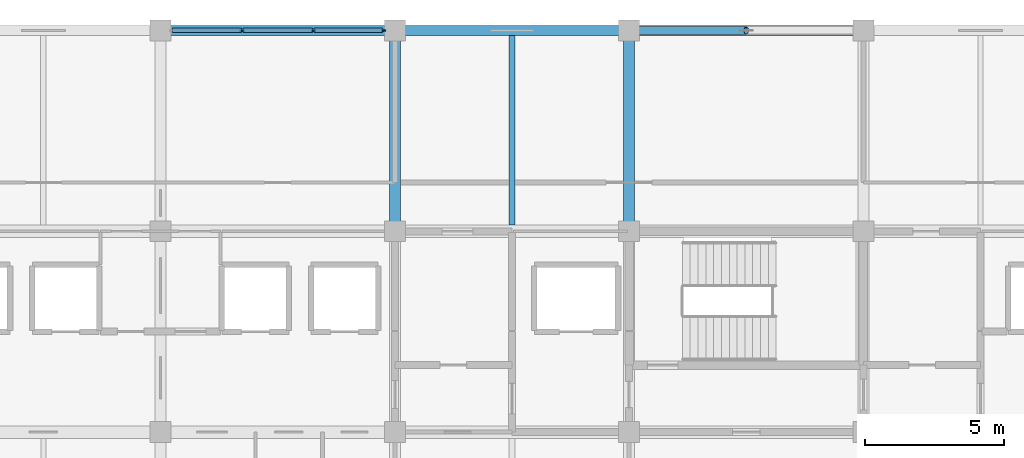
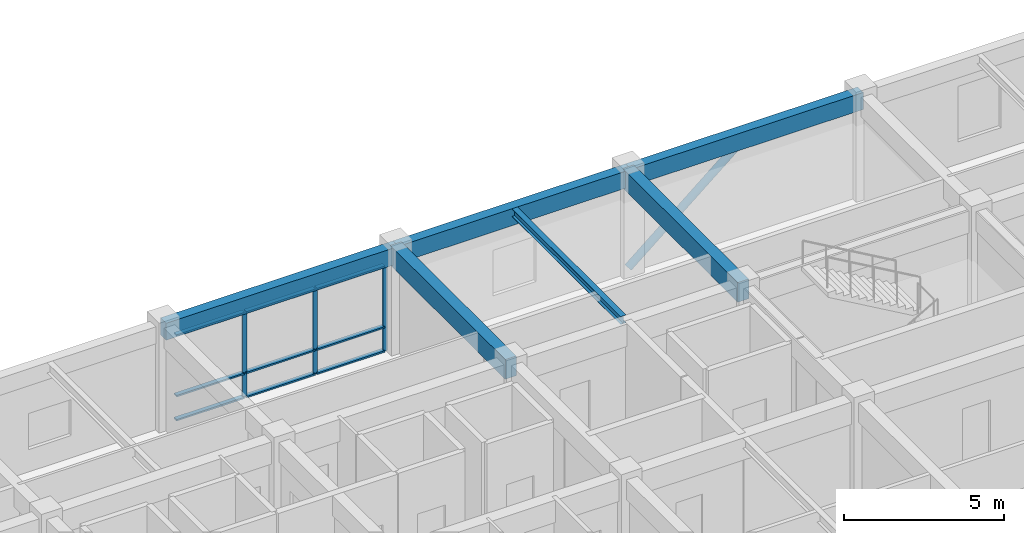
# One storey, part 8 of 27: 13 members, 6 beams, 1 element without a shape of its own.
"""IFC4 building model written with IfcOpenShell, lengths in metres."""

from ifc_helpers import new_model, si_unit, direction, frame, origin, origin_2d, place, context, subcontext, project, spatial, rectangle, hollow_circle, i_section, extrude, material, layer, layer_set, material_profile, profile_set, type_object, element, aggregate, save


model = new_model("IFC4")

# Units and contexts
model_context = context("Model", 3, precision=1e-05, world=origin(), true_north=direction((0.0, 1.0)))
body_context = subcontext(model_context, "Body", "Model", "MODEL_VIEW")
ifc_project = project(units=[si_unit("LENGTHUNIT", "METRE"), si_unit("AREAUNIT", "SQUARE_METRE"), si_unit("VOLUMEUNIT", "CUBIC_METRE"), si_unit("PLANEANGLEUNIT", "RADIAN"), si_unit("MASSUNIT", "GRAM", prefix="KILO")], contexts=[model_context])

# Site, building, storey
site_placement = place(None, origin())
site = spatial("IfcSite", under=ifc_project, at=site_placement, CompositionType="ELEMENT")
building_placement = place(site_placement, origin())
building = spatial("IfcBuilding", under=site, at=building_placement, Name="Chengyuan Square Courthouse", CompositionType="ELEMENT")
storey_placement = place(building_placement, frame((0.0, 0.0, 39.300048828125)))
storey = spatial("IfcBuildingStorey", under=building, at=storey_placement, Name="L09", CompositionType="ELEMENT", Elevation=39.300048828125)

# Beams
ifc_material_1 = material(Name="Concrete C40", Category="concrete")
ifc_material_profile_1 = material_profile(ifc_material_1, rectangle(XDim=0.39990234375, YDim=0.75, at=origin_2d()), Name="RC-BM-400x750")
ifc_profile_set_1 = profile_set([ifc_material_profile_1], Name="Concrete C40")
beam_type_1 = type_object("IfcBeamType", Name="BM-02", PredefinedType="USERDEFINED", material=ifc_profile_set_1)
for number, where, z_axis, x_axis, name in (
    (1, (92.39990234375, 108.0, 3.574951171875), (0.0, 1.0, 0.0), (-1.0, 0.0, 0.0), "Girder BM-L09-3988"),
    (2, (100.800048828125, 108.0, 3.574951171875), (0.0, 1.0, 0.0), (-1.0, 0.0, 0.0), "Girder BM-L09-3993"),
):
    element("IfcBeam", number, at=place(storey_placement, frame(where, z_axis=z_axis, x_axis=x_axis)), inside=storey, type_object=beam_type_1, Name=name, ObjectType="GIRDER", PredefinedType="USERDEFINED", context=body_context, shape_type="SweptSolid", body=[
        extrude(rectangle(XDim=0.39990234375, YDim=0.75, at=origin_2d()), origin(), (0.0, 0.0, 1.0), 7.199951171875),
    ])
ifc_material_profile_2 = material_profile(ifc_material_1, rectangle(XDim=0.35009765625, YDim=0.64990234375, at=origin_2d()), Name="RC-BM-350x650")
ifc_profile_set_2 = profile_set([ifc_material_profile_2], Name="Concrete C40")
beam_type_2 = type_object("IfcBeamType", Name="BM-03", PredefinedType="SPANDREL", material=ifc_profile_set_2)
beam_1_placement = place(storey_placement, frame((84.0, 115.199951171875, 3.625), z_axis=(1.0, 0.0, 0.0), x_axis=(0.0, 1.0, 0.0)))
element("IfcBeam", 3, at=beam_1_placement, inside=storey, type_object=beam_type_2, Name="Girder BM-L09-3951", PredefinedType="SPANDREL", context=body_context, shape_type="SweptSolid", body=[
    extrude(rectangle(XDim=0.35009765625, YDim=0.64990234375, at=origin_2d()), origin(), (0.0, 0.0, 1.0), 8.39990234375),
])
beam_2_placement = place(storey_placement, frame((92.39990234375, 115.199951171875, 3.625), z_axis=(1.0, 0.0, 0.0), x_axis=(0.0, 1.0, 0.0)))
element("IfcBeam", 4, at=beam_2_placement, inside=storey, type_object=beam_type_2, Name="Girder BM-L09-3952", PredefinedType="SPANDREL", context=body_context, shape_type="SweptSolid", body=[
    extrude(rectangle(XDim=0.35009765625, YDim=0.64990234375, at=origin_2d()), origin(), (0.0, 0.0, 1.0), 8.400146484375),
])
beam_3_placement = place(storey_placement, frame((100.800048828125, 115.199951171875, 3.625), z_axis=(1.0, 0.0, 0.0), x_axis=(0.0, 1.0, 0.0)))
element("IfcBeam", 5, at=beam_3_placement, inside=storey, type_object=beam_type_2, Name="Girder BM-L09-3953", PredefinedType="SPANDREL", context=body_context, shape_type="SweptSolid", body=[
    extrude(rectangle(XDim=0.35009765625, YDim=0.64990234375, at=origin_2d()), origin(), (0.0, 0.0, 1.0), 8.39990234375),
])
ifc_material_2 = material(Name="Steel Q355B", Category="steel")
ifc_material_profile_3 = material_profile(ifc_material_2, i_section(OverallWidth=0.199951171875, OverallDepth=0.300048828125, WebThickness=0.008056640625, FlangeThickness=0.011962890625, at=origin_2d()), Name="HM 300x200x8x12")
ifc_profile_set_3 = profile_set([ifc_material_profile_3], Name="Steel Q355B")
beam_type_3 = type_object("IfcBeamType", Name="BM-09", PredefinedType="BEAM", material=ifc_profile_set_3)
beam_4_placement = place(storey_placement, frame((96.60009765625, 108.22509765625, 3.800048828125), z_axis=(0.0, 1.0, 0.0), x_axis=(-1.0, 0.0, 0.0)))
element("IfcBeam", 6, at=beam_4_placement, inside=storey, type_object=beam_type_3, Name="Secondary Floor Beam SBM-L09-4021", PredefinedType="BEAM", context=body_context, shape_type="SweptSolid", body=[
    extrude(i_section(OverallWidth=0.199951171875, OverallDepth=0.300048828125, WebThickness=0.008056640625, FlangeThickness=0.011962890625, at=origin_2d()), origin(), (0.0, 0.0, 1.0), 6.7998046875),
])

# Member
ifc_material_profile_4 = material_profile(ifc_material_2, hollow_circle(Radius=0.136474609375, WallThickness=0.010009765625, at=origin_2d()), Name="CHS 273x10")
ifc_profile_set_4 = profile_set([ifc_material_profile_4], Name="Steel Q355B")
member_type_1 = type_object("IfcMemberType", Name="BR-01", PredefinedType="BRACE", material=ifc_profile_set_4)
member_1_placement = place(storey_placement, frame((100.800048828125, 115.199951171875, 0.099853515625), z_axis=(0.768217619255, 0.0, 0.64018879205), x_axis=(0.0, 1.0, 0.0)))
element("IfcMember", 7, at=member_1_placement, inside=storey, type_object=member_type_1, Name="Steel Chevron Brace BR-L09-035", PredefinedType="BRACE", context=body_context, shape_type="SweptSolid", body=[
    extrude(hollow_circle(Radius=0.136474609375, WallThickness=0.010009765625, at=origin_2d()), origin(), (0.0, 0.0, 1.0), 5.467041015625),
])

# Curtain wall, members
ifc_material_3 = material(Name="Unitised Aluminium and Triple Low-E Glass", Category="aluminium")
ifc_layer = layer(ifc_material_3, 0.159912109375)
ifc_layer_set = layer_set([ifc_layer], Name="Unitised Aluminium and Triple Low-E Glass")
curtain_wall_type = type_object("IfcCurtainWallType", Name="CW-01", PredefinedType="USERDEFINED", material=ifc_layer_set)
curtain_wall_placement = place(storey_placement, origin())
curtain_wall = element("IfcCurtainWall", 8, at=curtain_wall_placement, inside=storey, type_object=curtain_wall_type, Name="Unitised Curtain Wall CW-L09-242", ObjectType="UNITISED CURTAIN WALL", PredefinedType="USERDEFINED")
ifc_material_4 = material(Name="Aluminium 6063-T6 Frame", Category="aluminium")
ifc_material_profile_5 = material_profile(ifc_material_4, rectangle(XDim=0.06005859375, YDim=0.159912109375, at=origin_2d()), Name="CW-MUL-60x160")
ifc_profile_set_5 = profile_set([ifc_material_profile_5], Name="Aluminium 6063-T6 Frame")
member_type_2 = type_object("IfcMemberType", Name="CWM-01", PredefinedType="MULLION", material=ifc_profile_set_5)
member_2_placement = place(storey_placement, frame((86.925048828125, 115.199951171875, 0.0), z_axis=(0.0, 0.0, 1.0), x_axis=(0.0, 1.0, 0.0)))
member_2 = element("IfcMember", 9, at=member_2_placement, type_object=member_type_2, Name="CW-01 mullion 2", PredefinedType="MULLION", context=body_context, shape_type="SweptSolid", body=[
    extrude(rectangle(XDim=0.06005859375, YDim=0.159912109375, at=origin_2d()), origin(), (0.0, 0.0, 1.0), 3.300048828125),
])
member_3_placement = place(storey_placement, frame((89.47509765625, 115.199951171875, 0.0), z_axis=(0.0, 0.0, 1.0), x_axis=(0.0, 1.0, 0.0)))
member_3 = element("IfcMember", 10, at=member_3_placement, type_object=member_type_2, Name="CW-01 mullion 3", PredefinedType="MULLION", context=body_context, shape_type="SweptSolid", body=[
    extrude(rectangle(XDim=0.06005859375, YDim=0.159912109375, at=origin_2d()), origin(), (0.0, 0.0, 1.0), 3.300048828125),
])
member_4_placement = place(storey_placement, frame((91.9951171875, 115.199951171875, 0.0), z_axis=(0.0, 0.0, 1.0), x_axis=(0.0, 1.0, 0.0)))
member_4 = element("IfcMember", 11, at=member_4_placement, type_object=member_type_2, Name="CW-01 mullion 4", PredefinedType="MULLION", context=body_context, shape_type="SweptSolid", body=[
    extrude(rectangle(XDim=0.06005859375, YDim=0.159912109375, at=origin_2d()), origin(), (0.0, 0.0, 1.0), 3.300048828125),
])
ifc_material_profile_6 = material_profile(ifc_material_4, rectangle(XDim=0.159912109375, YDim=0.06005859375, at=origin_2d()), Name="CW-TRN-60x120")
ifc_profile_set_6 = profile_set([ifc_material_profile_6], Name="Aluminium 6063-T6 Frame")
member_type_3 = type_object("IfcMemberType", Name="CWT-01", PredefinedType="USERDEFINED", material=ifc_profile_set_6)
member_5_placement = place(storey_placement, frame((84.43505859375, 115.199951171875, 0.030029296875), z_axis=(1.0, 0.0, 0.0), x_axis=(0.0, 1.0, 0.0)))
member_5 = element("IfcMember", 12, at=member_5_placement, type_object=member_type_3, Name="CW-01 transom 1.1", ObjectType="TRANSOM", PredefinedType="USERDEFINED", context=body_context, shape_type="SweptSolid", body=[
    extrude(rectangle(XDim=0.159912109375, YDim=0.06005859375, at=origin_2d()), origin(), (0.0, 0.0, 1.0), 2.4599609375),
])
member_6_placement = place(storey_placement, frame((84.43505859375, 115.199951171875, 0.949951171875), z_axis=(1.0, 0.0, 0.0), x_axis=(0.0, 1.0, 0.0)))
member_6 = element("IfcMember", 13, at=member_6_placement, type_object=member_type_3, Name="CW-01 transom 1.2", ObjectType="TRANSOM", PredefinedType="USERDEFINED", context=body_context, shape_type="SweptSolid", body=[
    extrude(rectangle(XDim=0.159912109375, YDim=0.06005859375, at=origin_2d()), origin(), (0.0, 0.0, 1.0), 2.4599609375),
])
member_7_placement = place(storey_placement, frame((84.43505859375, 115.199951171875, 3.27001953125), z_axis=(1.0, 0.0, 0.0), x_axis=(0.0, 1.0, 0.0)))
member_7 = element("IfcMember", 14, at=member_7_placement, type_object=member_type_3, Name="CW-01 transom 1.3", ObjectType="TRANSOM", PredefinedType="USERDEFINED", context=body_context, shape_type="SweptSolid", body=[
    extrude(rectangle(XDim=0.159912109375, YDim=0.06005859375, at=origin_2d()), origin(), (0.0, 0.0, 1.0), 2.4599609375),
])
member_8_placement = place(storey_placement, frame((86.955078125, 115.199951171875, 0.030029296875), z_axis=(1.0, 0.0, 0.0), x_axis=(0.0, 1.0, 0.0)))
member_8 = element("IfcMember", 15, at=member_8_placement, type_object=member_type_3, Name="CW-01 transom 2.1", ObjectType="TRANSOM", PredefinedType="USERDEFINED", context=body_context, shape_type="SweptSolid", body=[
    extrude(rectangle(XDim=0.159912109375, YDim=0.06005859375, at=origin_2d()), origin(), (0.0, 0.0, 1.0), 2.489990234375),
])
member_9_placement = place(storey_placement, frame((86.955078125, 115.199951171875, 0.949951171875), z_axis=(1.0, 0.0, 0.0), x_axis=(0.0, 1.0, 0.0)))
member_9 = element("IfcMember", 16, at=member_9_placement, type_object=member_type_3, Name="CW-01 transom 2.2", ObjectType="TRANSOM", PredefinedType="USERDEFINED", context=body_context, shape_type="SweptSolid", body=[
    extrude(rectangle(XDim=0.159912109375, YDim=0.06005859375, at=origin_2d()), origin(), (0.0, 0.0, 1.0), 2.489990234375),
])
member_10_placement = place(storey_placement, frame((86.955078125, 115.199951171875, 3.27001953125), z_axis=(1.0, 0.0, 0.0), x_axis=(0.0, 1.0, 0.0)))
member_10 = element("IfcMember", 17, at=member_10_placement, type_object=member_type_3, Name="CW-01 transom 2.3", ObjectType="TRANSOM", PredefinedType="USERDEFINED", context=body_context, shape_type="SweptSolid", body=[
    extrude(rectangle(XDim=0.159912109375, YDim=0.06005859375, at=origin_2d()), origin(), (0.0, 0.0, 1.0), 2.489990234375),
])
member_11_placement = place(storey_placement, frame((89.5048828125, 115.199951171875, 0.030029296875), z_axis=(1.0, 0.0, 0.0), x_axis=(0.0, 1.0, 0.0)))
member_11 = element("IfcMember", 18, at=member_11_placement, type_object=member_type_3, Name="CW-01 transom 3.1", ObjectType="TRANSOM", PredefinedType="USERDEFINED", context=body_context, shape_type="SweptSolid", body=[
    extrude(rectangle(XDim=0.159912109375, YDim=0.06005859375, at=origin_2d()), origin(), (0.0, 0.0, 1.0), 2.460205078125),
])
member_12_placement = place(storey_placement, frame((89.5048828125, 115.199951171875, 0.949951171875), z_axis=(1.0, 0.0, 0.0), x_axis=(0.0, 1.0, 0.0)))
member_12 = element("IfcMember", 19, at=member_12_placement, type_object=member_type_3, Name="CW-01 transom 3.2", ObjectType="TRANSOM", PredefinedType="USERDEFINED", context=body_context, shape_type="SweptSolid", body=[
    extrude(rectangle(XDim=0.159912109375, YDim=0.06005859375, at=origin_2d()), origin(), (0.0, 0.0, 1.0), 2.460205078125),
])
member_13_placement = place(storey_placement, frame((89.5048828125, 115.199951171875, 3.27001953125), z_axis=(1.0, 0.0, 0.0), x_axis=(0.0, 1.0, 0.0)))
member_13 = element("IfcMember", 20, at=member_13_placement, type_object=member_type_3, Name="CW-01 transom 3.3", ObjectType="TRANSOM", PredefinedType="USERDEFINED", context=body_context, shape_type="SweptSolid", body=[
    extrude(rectangle(XDim=0.159912109375, YDim=0.06005859375, at=origin_2d()), origin(), (0.0, 0.0, 1.0), 2.460205078125),
])
aggregate(curtain_wall, [member_2, member_3, member_4, member_5, member_6, member_7, member_8, member_9, member_10, member_11, member_12, member_13])

save(model, "model.ifc")
